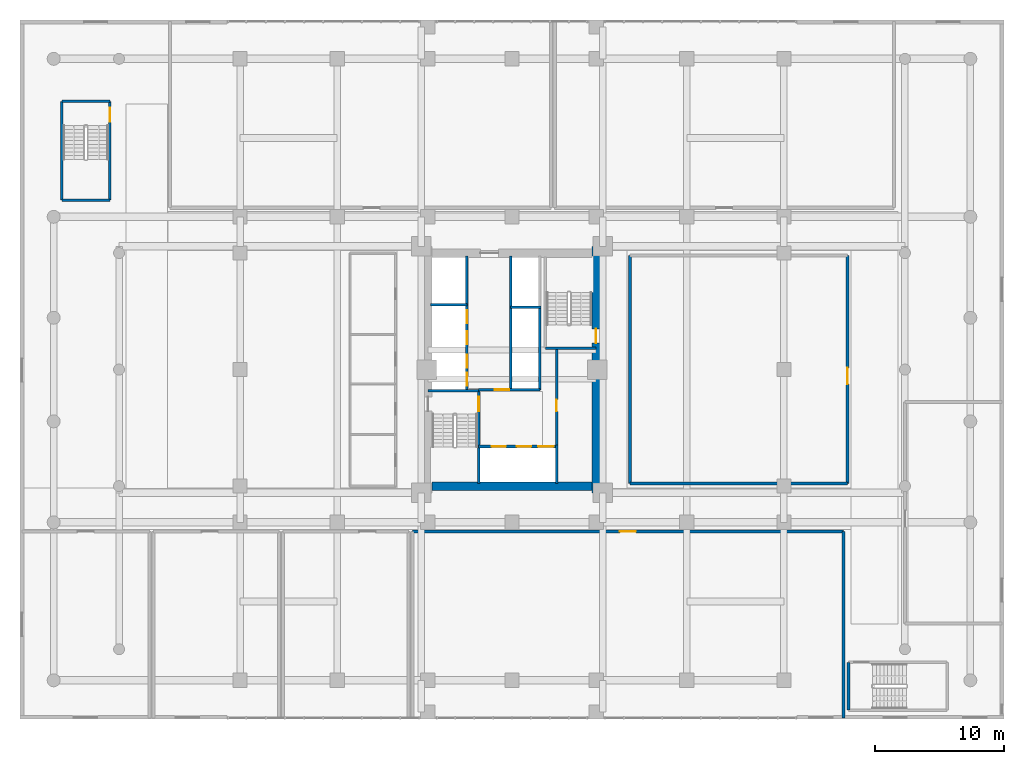
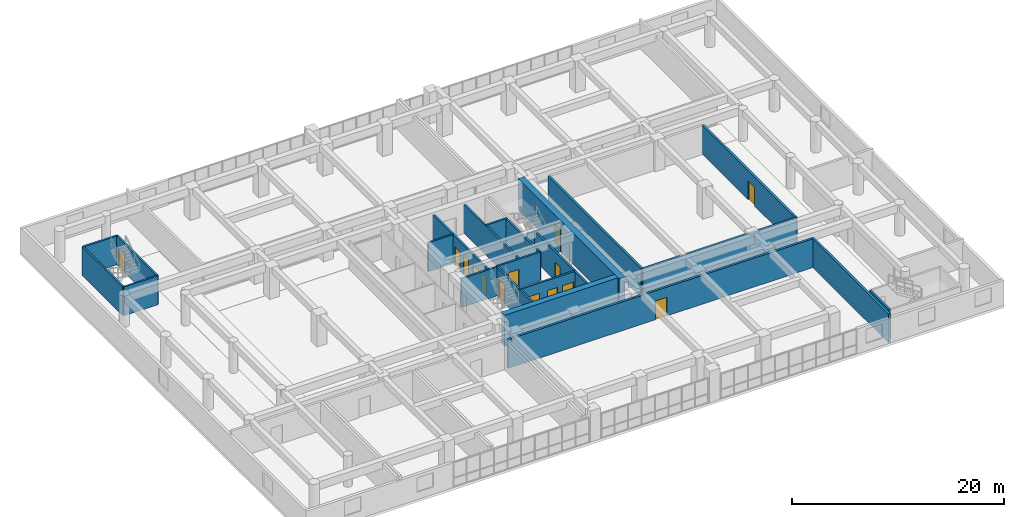
# One storey, part 19 of 30: 24 walls, 14 doors, 14 openings.
"""IFC4 building model written with IfcOpenShell, lengths in metres."""

import ifcopenshell
import ifcopenshell.guid

model = None  # the IFC model being written
_history = None  # IfcOwnerHistory: only IFC2X3 demands one
_inside = {}  # id of a spatial element -> (the spatial element, [elements in it])
_under = {}  # id of a project, library or spatial element -> (it, [spatial elements below it])
_declared = {}  # id of a project -> (the project, [libraries it declares])
_typed = {}  # id of a type object -> (the type object, [elements of that type])
_made_of = {}  # id of a material, layer set ... -> (it, [elements and type objects made of it])


def new_model(schema):
    """Start an empty IFC model of exactly this schema.

    Asked for "IFC4X3", IfcOpenShell would pick the latest addendum, in which some entities
    have other attributes; the version numbers below select the first issue.
    IFC2X3 requires an IfcOwnerHistory on every rooted entity: one is made here for all.
    """
    global model, _history
    if schema == "IFC4X3":
        model = ifcopenshell.file(schema_version=(4, 3, 0, 0))
    else:
        model = ifcopenshell.file(schema=schema)
    _inside.clear()
    _under.clear()
    _declared.clear()
    _typed.clear()
    _made_of.clear()
    _history = None
    if model.schema == "IFC2X3":
        org = make("IfcOrganization", Name="unknown")
        user = make(
            "IfcPersonAndOrganization",
            ThePerson=make("IfcPerson", FamilyName="unknown"),
            TheOrganization=org,
        )
        app = make(
            "IfcApplication",
            ApplicationDeveloper=org,
            Version="unknown",
            ApplicationFullName="unknown",
            ApplicationIdentifier="unknown",
        )
        _history = make(
            "IfcOwnerHistory",
            OwningUser=user,
            OwningApplication=app,
            ChangeAction="ADDED",
            CreationDate=0,
        )
    return model


def make(cls, **values):
    """One entity of the class cls with the attributes given. An attribute that is None is left unset."""
    return model.create_entity(
        cls, **{name: value for name, value in values.items() if value is not None}
    )


def rooted(cls, **values):
    """An entity with a GlobalId (a new one), such as an element, a storey or a relation."""
    return make(cls, GlobalId=ifcopenshell.guid.new(), OwnerHistory=_history, **values)


def si_unit(unit_type, name, prefix=None):
    """IfcSIUnit, for example si_unit("LENGTHUNIT", "METRE", prefix="MILLI")."""
    return make("IfcSIUnit", UnitType=unit_type, Prefix=prefix, Name=name)


def assignment(units):
    """IfcUnitAssignment: the units of a project."""
    return None if units is None else make("IfcUnitAssignment", Units=units)


def point(xyz):
    """IfcCartesianPoint."""
    return None if xyz is None else make("IfcCartesianPoint", Coordinates=xyz)


def direction(xyz):
    """IfcDirection."""
    return None if xyz is None else make("IfcDirection", DirectionRatios=xyz)


def frame(location, z_axis=None, x_axis=None):
    """IfcAxis2Placement3D, a coordinate frame: its origin and axes. An axis left out is left unset."""
    return make(
        "IfcAxis2Placement3D",
        Location=point(location),
        Axis=direction(z_axis),
        RefDirection=direction(x_axis),
    )


def frame_2d(location, x_axis=None):
    """IfcAxis2Placement2D, a coordinate frame in the plane: its origin and x axis."""
    return make(
        "IfcAxis2Placement2D", Location=point(location), RefDirection=direction(x_axis)
    )


def origin():
    """The frame at (0, 0, 0) with its axes left unset."""
    return frame((0.0, 0.0, 0.0))


def place(relative_to, where):
    """IfcLocalPlacement: puts the frame where relative to a parent placement (None: the world)."""
    return make(
        "IfcLocalPlacement", PlacementRelTo=relative_to, RelativePlacement=where
    )


def context(
    kind, dimensions, precision=None, world=None, true_north=None, identifier=None
):
    """IfcGeometricRepresentationContext, for example the 3D "Model" context."""
    return make(
        "IfcGeometricRepresentationContext",
        ContextIdentifier=identifier,
        ContextType=kind,
        CoordinateSpaceDimension=dimensions,
        Precision=precision,
        WorldCoordinateSystem=world,
        TrueNorth=true_north,
    )


def subcontext(parent, identifier, kind, view, scale=None):
    """IfcGeometricRepresentationSubContext, for example "Body" below "Model"."""
    return make(
        "IfcGeometricRepresentationSubContext",
        ContextIdentifier=identifier,
        ContextType=kind,
        ParentContext=parent,
        TargetScale=scale,
        TargetView=view,
    )


def project(units=None, contexts=None):
    """IfcProject with its units and contexts."""
    return rooted(
        "IfcProject",
        Name="project",
        RepresentationContexts=contexts,
        UnitsInContext=assignment(units),
    )


def spatial(cls, under=None, at=None, **own):
    """A site, building, storey or space (cls), placed at a placement, below another one or the project."""
    s = rooted(cls, ObjectPlacement=at, **own)
    if under is not None:
        _under.setdefault(under.id(), (under, []))[1].append(s)
    return s


def profile(cls, at=None, kind="AREA", **sizes):
    """A parametric profile (cls). Its sizes go by their IFC names, for example OverallWidth=200.0."""
    return make(cls, ProfileType=kind, Position=at, **sizes)


def rectangle(**sizes):
    """IfcRectangleProfileDef."""
    return profile("IfcRectangleProfileDef", **sizes)


def extrude(swept, where, along, depth):
    """IfcExtrudedAreaSolid: the profile swept, set in the frame where, extruded along a direction by depth."""
    return make(
        "IfcExtrudedAreaSolid",
        SweptArea=swept,
        Position=where,
        ExtrudedDirection=direction(along),
        Depth=depth,
    )


def shape(context_of_items, identifier, shape_type, items):
    """IfcShapeRepresentation: the items that make up one representation, for example the "Body"."""
    return make(
        "IfcShapeRepresentation",
        ContextOfItems=context_of_items,
        RepresentationIdentifier=identifier,
        RepresentationType=shape_type,
        Items=items,
    )


def source(mapping_origin, context_of_items, identifier, shape_type, items):
    """IfcRepresentationMap: a shape defined once, which mapped items show again and again."""
    return make(
        "IfcRepresentationMap",
        MappingOrigin=mapping_origin,
        MappedRepresentation=shape(context_of_items, identifier, shape_type, items),
    )


def transform(
    local_origin,
    x_axis=None,
    y_axis=None,
    z_axis=None,
    scale=None,
    scale2=None,
    scale3=None,
    uniform=True,
):
    """IfcCartesianTransformationOperator3D, or its non-uniform kind. x_axis, y_axis, z_axis: its Axis1, 2, 3."""
    if uniform:
        return make(
            "IfcCartesianTransformationOperator3D",
            Axis1=direction(x_axis),
            Axis2=direction(y_axis),
            LocalOrigin=point(local_origin),
            Scale=scale,
            Axis3=direction(z_axis),
        )
    return make(
        "IfcCartesianTransformationOperator3DnonUniform",
        Axis1=direction(x_axis),
        Axis2=direction(y_axis),
        LocalOrigin=point(local_origin),
        Scale=scale,
        Axis3=direction(z_axis),
        Scale2=scale2,
        Scale3=scale3,
    )


def mapped(mapping_source, mapping_target):
    """IfcMappedItem: shows the shape of a source again, moved by a transform."""
    return make(
        "IfcMappedItem", MappingSource=mapping_source, MappingTarget=mapping_target
    )


def material(Name=None, Category=None):
    """IfcMaterial."""
    return make("IfcMaterial", Name=Name, Category=Category)


def layer(
    of_material, thickness, ventilated=None, Name=None, Category=None, Priority=None
):
    """IfcMaterialLayer: one layer of a wall or slab, of a material (None: an air gap)."""
    return make(
        "IfcMaterialLayer",
        Material=of_material,
        LayerThickness=thickness,
        IsVentilated=ventilated,
        Name=Name,
        Category=Category,
        Priority=Priority,
    )


def layer_set(layers, Name=None):
    """IfcMaterialLayerSet."""
    return make("IfcMaterialLayerSet", MaterialLayers=layers, LayerSetName=Name)


def made_of(thing, what):
    """Note that an element or type object is made of a material, layer set ...; save() writes the relation."""
    if what is not None:
        _made_of.setdefault(what.id(), (what, []))[1].append(thing)
    return thing


def type_object(cls, material=None, **own):
    """A type object (cls), such as IfcWallType, which elements share."""
    return made_of(rooted(cls, **own), material)


def element(
    cls,
    number,
    at=None,
    inside=None,
    cuts=None,
    type_object=None,
    material=None,
    context=None,
    identifier="Body",
    shape_type=None,
    held_by="IfcProductDefinitionShape",
    body=None,
    shapes=None,
    **own,
):
    """One element of the class cls, such as IfcWall. Its Tag is "e" and its number.

    at: its placement. inside: the storey or other place that contains it. cuts: it is an
    opening in that element (IfcRelVoidsElement). A single representation is given by context,
    identifier, shape_type and body (its items); several are given by shapes. held_by: the class
    of the entity that holds the representations. save() writes the other relations.
    """
    e = rooted(cls, Tag="e%d" % number, ObjectPlacement=at, **own)
    if body is not None:
        shapes = [shape(context, identifier, shape_type, body)]
    if shapes is not None:
        e.Representation = make(held_by, Representations=shapes)
    if inside is not None:
        _inside.setdefault(inside.id(), (inside, []))[1].append(e)
    if cuts is not None:
        rooted(
            "IfcRelVoidsElement", RelatingBuildingElement=cuts, RelatedOpeningElement=e
        )
    if type_object is not None:
        _typed.setdefault(type_object.id(), (type_object, []))[1].append(e)
    return made_of(e, material)


def fill(opening, filler):
    """IfcRelFillsElement: the door or window that sits in an opening."""
    return rooted(
        "IfcRelFillsElement",
        RelatingOpeningElement=opening,
        RelatedBuildingElement=filler,
    )


def aggregate(whole, parts):
    """IfcRelAggregates: a whole, such as a stair, and the parts it consists of."""
    return rooted("IfcRelAggregates", RelatingObject=whole, RelatedObjects=parts)


def save(model, path):
    """Write the relations noted so far, then the file.

    IfcRelAggregates (storeys below a building ...), IfcRelContainedInSpatialStructure (elements
    in a storey), IfcRelDefinesByType, IfcRelAssociatesMaterial and IfcRelDeclares: one each for
    every whole, place, type object, material and project.
    """
    for whole, parts in _under.values():
        aggregate(whole, parts)
    for where, things in _inside.values():
        rooted(
            "IfcRelContainedInSpatialStructure",
            RelatedElements=things,
            RelatingStructure=where,
        )
    for kind, things in _typed.values():
        rooted("IfcRelDefinesByType", RelatedObjects=things, RelatingType=kind)
    for what, things in _made_of.values():
        rooted("IfcRelAssociatesMaterial", RelatedObjects=things, RelatingMaterial=what)
    for by, libraries in _declared.values():
        rooted("IfcRelDeclares", RelatingContext=by, RelatedDefinitions=libraries)
    model.write(path)


model = new_model("IFC4")

# Units and contexts
model_context = context("Model", 3, precision=1e-05, world=origin(), true_north=direction((0.0, 1.0)))
body_context = subcontext(model_context, "Body", "Model", "MODEL_VIEW")
ifc_project = project(units=[si_unit("LENGTHUNIT", "METRE"), si_unit("AREAUNIT", "SQUARE_METRE"), si_unit("VOLUMEUNIT", "CUBIC_METRE"), si_unit("PLANEANGLEUNIT", "RADIAN"), si_unit("MASSUNIT", "GRAM", prefix="KILO")], contexts=[model_context])

# Site, building, storey
site_placement = place(None, origin())
site = spatial("IfcSite", under=ifc_project, at=site_placement, CompositionType="ELEMENT")
building_placement = place(site_placement, origin())
building = spatial("IfcBuilding", under=site, at=building_placement, Name="Saelheon Loggia Tower", CompositionType="ELEMENT")
storey_placement = place(building_placement, frame((0.0, 0.0, 7.800048828125)))
storey = spatial("IfcBuildingStorey", under=building, at=storey_placement, Name="L02", CompositionType="ELEMENT", Elevation=7.800048828125)

# Wall, opening, door
ifc_material_1 = material(Name="Shielded High-Density Gypsum Partition", Category="gypsum")
ifc_layer_1 = layer(ifc_material_1, 0.239990234375)
ifc_layer_set_1 = layer_set([ifc_layer_1], Name="Shielded High-Density Gypsum Partition")
wall_type_1 = type_object("IfcWallType", Name="Wall_ClinicLead_240", PredefinedType="PARTITIONING", material=ifc_layer_set_1)
wall_1_placement = place(storey_placement, frame((30.300048828125, 14.5, 0.0), z_axis=(0.0, 0.0, 1.0), x_axis=(1.0, 0.0, 0.0)))
wall_1 = element("IfcWall", 1, at=wall_1_placement, inside=storey, type_object=wall_type_1, Name="PW-L02-CTRL2B-N", PredefinedType="PARTITIONING", context=body_context, shape_type="SweptSolid", body=[
    extrude(rectangle(XDim=33.300048828125, YDim=0.239990234375, at=frame_2d((16.64990234375, 0.0))), origin(), (0.0, 0.0, 1.0), 3.320068359375),
])
opening_1_placement = place(wall_1_placement, frame((16.02490234375, 0.0, 0.0)))
opening_1 = element("IfcOpeningElement", 2, at=opening_1_placement, cuts=wall_1, Name="Opening D-CL1", PredefinedType="OPENING", context=body_context, shape_type="SweptSolid", body=[
    extrude(rectangle(XDim=1.25, YDim=2.14990234375, at=frame_2d((0.625, 1.074951171875))), frame((0.0, 0.132080078125, 0.0), z_axis=(0.0, -1.0, 0.0), x_axis=(1.0, 0.0, 0.0)), (0.0, 0.0, 1.0), 0.263916015625),
])
ifc_material_2 = material(Name="Antimicrobial Hospital Laminate Door", Category="timber")
door_type_1 = type_object("IfcDoorType", Name="Door_Clinic_1250", OperationType="NOTDEFINED", PredefinedType="DOOR", material=ifc_material_2)
shared_shape_1 = source(origin(), body_context, "Body", "SweptSolid", [
    extrude(rectangle(XDim=1.25, YDim=2.14990234375, at=frame_2d((0.625, 1.074951171875))), frame((0.0, 0.02490234375, 0.0), z_axis=(0.0, -1.0, 0.0), x_axis=(1.0, 0.0, 0.0)), (0.0, 0.0, 1.0), 0.050048828125),
])
door_1_placement = place(opening_1_placement, origin())
door_1 = element("IfcDoor", 3, at=door_1_placement, inside=storey, type_object=door_type_1, Name="L02 Diagnostic Imaging Waiting Concourse Door", OperationType="SINGLE_SWING_RIGHT", OverallHeight=2.14990234375, OverallWidth=1.25, PredefinedType="DOOR", context=body_context, shape_type="MappedRepresentation", body=[
    mapped(shared_shape_1, transform((0.0, 0.0, 0.0), scale=1.0)),
])
fill(opening_1, door_1)

# Walls
wall_2_placement = place(storey_placement, frame((63.60009765625, 0.10009765625, 0.0), z_axis=(0.0, 0.0, 1.0), x_axis=(0.0, 1.0, 0.0)))
element("IfcWall", 4, at=wall_2_placement, inside=storey, type_object=wall_type_1, Name="PW-L02-CTRL2B-E", PredefinedType="PARTITIONING", context=body_context, shape_type="SweptSolid", body=[
    extrude(rectangle(XDim=14.39990234375, YDim=0.239990234375, at=frame_2d((7.199951171875, 0.0))), origin(), (0.0, 0.0, 1.0), 3.320068359375),
])
wall_3_placement = place(storey_placement, frame((47.10009765625, 18.199951171875, 0.0), z_axis=(0.0, 0.0, 1.0), x_axis=(1.0, 0.0, 0.0)))
element("IfcWall", 5, at=wall_3_placement, inside=storey, type_object=wall_type_1, Name="PW-L02-STAFF2-S", PredefinedType="PARTITIONING", context=body_context, shape_type="SweptSolid", body=[
    extrude(rectangle(XDim=16.7998046875, YDim=0.239990234375, at=frame_2d((8.39990234375, 0.0))), origin(), (0.0, 0.0, 1.0), 3.320068359375),
])
wall_4_placement = place(storey_placement, frame((47.10009765625, 18.199951171875, 0.0), z_axis=(0.0, 0.0, 1.0), x_axis=(0.0, 1.0, 0.0)))
element("IfcWall", 6, at=wall_4_placement, inside=storey, type_object=wall_type_1, Name="PW-L02-STAFF2-W", PredefinedType="PARTITIONING", context=body_context, shape_type="SweptSolid", body=[
    extrude(rectangle(XDim=17.60009765625, YDim=0.239990234375, at=frame_2d((8.800048828125, 0.0))), origin(), (0.0, 0.0, 1.0), 3.320068359375),
])

# Wall, opening, door
wall_5_placement = place(storey_placement, frame((63.89990234375, 18.199951171875, 0.0), z_axis=(0.0, 0.0, 1.0), x_axis=(0.0, 1.0, 0.0)))
wall_5 = element("IfcWall", 7, at=wall_5_placement, inside=storey, type_object=wall_type_1, Name="PW-L02-STAFF2-E", PredefinedType="PARTITIONING", context=body_context, shape_type="SweptSolid", body=[
    extrude(rectangle(XDim=17.60009765625, YDim=0.239990234375, at=frame_2d((8.800048828125, 0.0))), origin(), (0.0, 0.0, 1.0), 3.320068359375),
])
opening_2_placement = place(wall_5_placement, frame((7.685791015625, 0.0, 0.0)))
opening_2 = element("IfcOpeningElement", 8, at=opening_2_placement, cuts=wall_5, Name="Opening D-CL1", PredefinedType="OPENING", context=body_context, shape_type="SweptSolid", body=[
    extrude(rectangle(XDim=1.25, YDim=2.14990234375, at=frame_2d((0.625, 1.074951171875))), frame((0.0, 0.132080078125, 0.0), z_axis=(0.0, -1.0, 0.0), x_axis=(1.0, 0.0, 0.0)), (0.0, 0.0, 1.0), 0.263916015625),
])
door_2_placement = place(opening_2_placement, origin())
door_2 = element("IfcDoor", 9, at=door_2_placement, inside=storey, type_object=door_type_1, Name="L02 Diagnostic Staff Conference Hall Door", OperationType="SINGLE_SWING_RIGHT", OverallHeight=2.14990234375, OverallWidth=1.25, PredefinedType="DOOR", context=body_context, shape_type="MappedRepresentation", body=[
    mapped(shared_shape_1, transform((0.0, 0.0, 0.0), scale=1.0)),
])
fill(opening_2, door_2)

ifc_material_3 = material(Name="Concrete C60/75", Category="concrete")
ifc_layer_2 = layer(ifc_material_3, 0.64990234375)
ifc_layer_set_2 = layer_set([ifc_layer_2], Name="Concrete C60/75")
wall_type_2 = type_object("IfcWallType", Name="Wall_CoreShear_650", PredefinedType="SHEAR", material=ifc_layer_set_2)
wall_6_placement = place(storey_placement, frame((44.5, 17.47998046875, 0.0), z_axis=(0.0, 0.0, 1.0), x_axis=(0.0, 1.0, 0.0)))
wall_6 = element("IfcWall", 10, at=wall_6_placement, inside=storey, type_object=wall_type_2, Name="L02 Core Shear Wall East", PredefinedType="SHEAR", context=body_context, shape_type="SweptSolid", body=[
    extrude(rectangle(XDim=19.0400390625, YDim=0.64990234375, at=frame_2d((9.52001953125, 0.0))), origin(), (0.0, 0.0, 1.0), 3.599853515625),
])
opening_3_placement = place(wall_6_placement, frame((12.670166015625, 0.0, 0.0), z_axis=(0.0, 0.0, 1.0), x_axis=(-1.0, 0.0, 0.0)))
opening_3 = element("IfcOpeningElement", 11, at=opening_3_placement, cuts=wall_6, Name="Opening D-FD2", PredefinedType="OPENING", context=body_context, shape_type="SweptSolid", body=[
    extrude(rectangle(XDim=1.10009765625, YDim=2.14990234375, at=frame_2d((0.550048828125, 1.074951171875))), frame((0.0, 0.3369140625, 0.0), z_axis=(0.0, -1.0, 0.0), x_axis=(1.0, 0.0, 0.0)), (0.0, 0.0, 1.0), 0.673828125),
])
ifc_material_4 = material(Name="Galvanised Steel Fire Door", Category="steel")
door_type_2 = type_object("IfcDoorType", Name="Door_Fire_FD60_1100", OperationType="NOTDEFINED", PredefinedType="DOOR", material=ifc_material_4)
shared_shape_2 = source(origin(), body_context, "Body", "SweptSolid", [
    extrude(rectangle(XDim=1.10009765625, YDim=2.14990234375, at=frame_2d((0.550048828125, 1.074951171875))), frame((0.0, 0.02490234375, 0.0), z_axis=(0.0, -1.0, 0.0), x_axis=(1.0, 0.0, 0.0)), (0.0, 0.0, 1.0), 0.050048828125),
])
door_3_placement = place(opening_3_placement, origin())
door_3 = element("IfcDoor", 12, at=door_3_placement, inside=storey, type_object=door_type_2, Name="L02 Stair ST2 Corridor Door", OperationType="SINGLE_SWING_RIGHT", OverallHeight=2.14990234375, OverallWidth=1.10009765625, PredefinedType="DOOR", context=body_context, shape_type="MappedRepresentation", body=[
    mapped(shared_shape_2, transform((0.0, 0.0, 0.0), scale=1.0)),
])
fill(opening_3, door_3)

# Walls
wall_7_placement = place(storey_placement, frame((31.824951171875, 18.0, 0.0), z_axis=(0.0, 0.0, 1.0), x_axis=(1.0, 0.0, 0.0)))
element("IfcWall", 13, at=wall_7_placement, inside=storey, type_object=wall_type_2, Name="L02 Core Shear Wall South", PredefinedType="SHEAR", context=body_context, shape_type="SweptSolid", body=[
    extrude(rectangle(XDim=12.35009765625, YDim=0.64990234375, at=frame_2d((6.175048828125, 0.0))), origin(), (0.0, 0.0, 1.0), 3.599853515625),
])
ifc_material_5 = material(Name="Concrete C40/50", Category="concrete")
ifc_layer_3 = layer(ifc_material_5, 0.199951171875)
ifc_layer_set_3 = layer_set([ifc_layer_3], Name="Concrete C40/50")
wall_type_3 = type_object("IfcWallType", Name="Wall_Shaft_200", PredefinedType="PARTITIONING", material=ifc_layer_set_3)
wall_8_placement = place(storey_placement, frame((41.449951171875, 18.219970703125, 0.0), z_axis=(0.0, 0.0, 1.0), x_axis=(0.0, 1.0, 0.0)))
element("IfcWall", 14, at=wall_8_placement, inside=storey, type_object=wall_type_3, Name="CW-INT-L02-BOH-W0", PredefinedType="PARTITIONING", context=body_context, shape_type="SweptSolid", body=[
    extrude(rectangle(XDim=2.9599609375, YDim=0.199951171875, at=frame_2d((1.47998046875, 0.0))), origin(), (0.0, 0.0, 1.0), 3.320068359375),
])

# Wall, opening, door
wall_9_placement = place(storey_placement, frame((41.449951171875, 21.179931640625, 0.0), z_axis=(0.0, 0.0, 1.0), x_axis=(0.0, 1.0, 0.0)))
wall_9 = element("IfcWall", 15, at=wall_9_placement, inside=storey, type_object=wall_type_3, Name="CW-INT-L02-BOH-W1", PredefinedType="PARTITIONING", context=body_context, shape_type="SweptSolid", body=[
    extrude(rectangle(XDim=7.420166015625, YDim=0.199951171875, at=frame_2d((3.7099609375, 0.0))), origin(), (0.0, 0.0, 1.0), 3.320068359375),
])
opening_4_placement = place(wall_9_placement, frame((2.60009765625, 0.0, 0.0)))
opening_4 = element("IfcOpeningElement", 16, at=opening_4_placement, cuts=wall_9, Name="Opening D-RS1", PredefinedType="OPENING", context=body_context, shape_type="SweptSolid", body=[
    extrude(rectangle(XDim=0.89990234375, YDim=2.10009765625, at=frame_2d((0.449951171875, 1.050048828125))), frame((0.0, 0.112060546875, 0.0), z_axis=(0.0, -1.0, 0.0), x_axis=(1.0, 0.0, 0.0)), (0.0, 0.0, 1.0), 0.223876953125),
])
ifc_material_6 = material(Name="Galvanised Steel Riser Access Door", Category="steel")
door_type_3 = type_object("IfcDoorType", Name="Door_Riser_FD60", OperationType="NOTDEFINED", PredefinedType="DOOR", material=ifc_material_6)
shared_shape_3 = source(origin(), body_context, "Body", "SweptSolid", [
    extrude(rectangle(XDim=0.89990234375, YDim=2.10009765625, at=frame_2d((0.449951171875, 1.050048828125))), frame((0.0, 0.02490234375, 0.0), z_axis=(0.0, -1.0, 0.0), x_axis=(1.0, 0.0, 0.0)), (0.0, 0.0, 1.0), 0.050048828125),
])
door_4_placement = place(opening_4_placement, origin())
door_4 = element("IfcDoor", 17, at=door_4_placement, inside=storey, type_object=door_type_3, Name="L02 Core Service Store Door", OperationType="SINGLE_SWING_RIGHT", OverallHeight=2.10009765625, OverallWidth=0.89990234375, PredefinedType="DOOR", context=body_context, shape_type="MappedRepresentation", body=[
    mapped(shared_shape_3, transform((0.0, 0.0, 0.0), scale=1.0)),
])
fill(opening_4, door_4)

# Wall
wall_10_placement = place(storey_placement, frame((40.14990234375, 25.43994140625, 0.0), z_axis=(0.0, 0.0, 1.0), x_axis=(0.0, 1.0, 0.0)))
element("IfcWall", 18, at=wall_10_placement, inside=storey, type_object=wall_type_3, Name="L02 Core Service Passage West Wall", PredefinedType="PARTITIONING", context=body_context, shape_type="SweptSolid", body=[
    extrude(rectangle(XDim=6.360107421875, YDim=0.199951171875, at=frame_2d((3.18017578125, 0.0))), origin(), (0.0, 0.0, 1.0), 3.320068359375),
])

# Wall, openings, doors
wall_11_placement = place(storey_placement, frame((35.429931640625, 21.06005859375, 0.0), z_axis=(0.0, 0.0, 1.0), x_axis=(1.0, 0.0, 0.0)))
wall_11 = element("IfcWall", 19, at=wall_11_placement, inside=storey, type_object=wall_type_3, Name="L02 Firefighting Lift Shaft Front Wall", PredefinedType="PARTITIONING", context=body_context, shape_type="SweptSolid", body=[
    extrude(rectangle(XDim=6.02001953125, YDim=0.199951171875, at=frame_2d((3.010009765625, 0.0))), origin(), (0.0, 0.0, 1.0), 3.320068359375),
])
opening_5_placement = place(wall_11_placement, frame((1.0, 0.0, 0.0)))
opening_5 = element("IfcOpeningElement", 20, at=opening_5_placement, cuts=wall_11, Name="Opening LD2", PredefinedType="OPENING", context=body_context, shape_type="SweptSolid", body=[
    extrude(rectangle(XDim=1.10009765625, YDim=2.14990234375, at=frame_2d((0.550048828125, 1.074951171875))), frame((0.0, 0.112060546875, 0.0), z_axis=(0.0, -1.0, 0.0), x_axis=(1.0, 0.0, 0.0)), (0.0, 0.0, 1.0), 0.223876953125),
])
opening_6_placement = place(wall_11_placement, frame((2.949951171875, 0.0, 0.0)))
opening_6 = element("IfcOpeningElement", 21, at=opening_6_placement, cuts=wall_11, Name="Opening LD2", PredefinedType="OPENING", context=body_context, shape_type="SweptSolid", body=[
    extrude(rectangle(XDim=1.10009765625, YDim=2.14990234375, at=frame_2d((0.550048828125, 1.074951171875))), frame((0.0, 0.112060546875, 0.0), z_axis=(0.0, -1.0, 0.0), x_axis=(1.0, 0.0, 0.0)), (0.0, 0.0, 1.0), 0.223876953125),
])
opening_7_placement = place(wall_11_placement, frame((4.580078125, 0.0, 0.0)))
opening_7 = element("IfcOpeningElement", 22, at=opening_7_placement, cuts=wall_11, Name="Opening LD3", PredefinedType="OPENING", context=body_context, shape_type="SweptSolid", body=[
    extrude(rectangle(XDim=1.199951171875, YDim=2.14990234375, at=frame_2d((0.60009765625, 1.074951171875))), frame((0.0, 0.112060546875, 0.0), z_axis=(0.0, -1.0, 0.0), x_axis=(1.0, 0.0, 0.0)), (0.0, 0.0, 1.0), 0.223876953125),
])
ifc_material_7 = material(Name="Firefighting Stainless Steel 316 Landing Door", Category="steel")
door_type_4 = type_object("IfcDoorType", Name="Door_Lift_LD2", OperationType="DOUBLE_DOOR_SLIDING", PredefinedType="DOOR", material=ifc_material_7)
door_5_placement = place(opening_5_placement, origin())
door_5 = element("IfcDoor", 23, at=door_5_placement, inside=storey, type_object=door_type_4, Name="L02 FF1 Landing Door", OperationType="DOUBLE_DOOR_SLIDING", OverallHeight=2.14990234375, OverallWidth=1.10009765625, PredefinedType="DOOR", context=body_context, shape_type="MappedRepresentation", body=[
    mapped(shared_shape_2, transform((0.0, 0.0, 0.0), scale=1.0)),
])
fill(opening_5, door_5)
door_6_placement = place(opening_6_placement, origin())
door_6 = element("IfcDoor", 24, at=door_6_placement, inside=storey, type_object=door_type_4, Name="L02 FF2 Landing Door", OperationType="DOUBLE_DOOR_SLIDING", OverallHeight=2.14990234375, OverallWidth=1.10009765625, PredefinedType="DOOR", context=body_context, shape_type="MappedRepresentation", body=[
    mapped(shared_shape_2, transform((0.0, 0.0, 0.0), scale=1.0)),
])
fill(opening_6, door_6)
ifc_material_8 = material(Name="Stretcher Lift Stainless Steel 304 Landing Door", Category="steel")
door_type_5 = type_object("IfcDoorType", Name="Door_Lift_LD3", OperationType="DOUBLE_DOOR_SLIDING", PredefinedType="DOOR", material=ifc_material_8)
shared_shape_4 = source(origin(), body_context, "Body", "SweptSolid", [
    extrude(rectangle(XDim=1.199951171875, YDim=2.14990234375, at=frame_2d((0.60009765625, 1.074951171875))), frame((0.0, 0.02490234375, 0.0), z_axis=(0.0, -1.0, 0.0), x_axis=(1.0, 0.0, 0.0)), (0.0, 0.0, 1.0), 0.050048828125),
])
door_7_placement = place(opening_7_placement, origin())
door_7 = element("IfcDoor", 25, at=door_7_placement, inside=storey, type_object=door_type_5, Name="L02 SV1 Landing Door", OperationType="DOUBLE_DOOR_SLIDING", OverallHeight=2.14990234375, OverallWidth=1.199951171875, PredefinedType="DOOR", context=body_context, shape_type="MappedRepresentation", body=[
    mapped(shared_shape_4, transform((0.0, 0.0, 0.0), scale=1.0)),
])
fill(opening_7, door_7)

# Wall, opening, door
wall_12_placement = place(storey_placement, frame((35.429931640625, 25.43994140625, 0.0), z_axis=(0.0, 0.0, 1.0), x_axis=(1.0, 0.0, 0.0)))
wall_12 = element("IfcWall", 26, at=wall_12_placement, inside=storey, type_object=wall_type_3, Name="L02 Firefighting Lobby Compartment Wall", PredefinedType="PARTITIONING", context=body_context, shape_type="SweptSolid", body=[
    extrude(rectangle(XDim=4.719970703125, YDim=0.199951171875, at=frame_2d((2.35986328125, 0.0))), origin(), (0.0, 0.0, 1.0), 3.320068359375),
])
opening_8_placement = place(wall_12_placement, frame((1.25, 0.0, 0.0)))
opening_8 = element("IfcOpeningElement", 27, at=opening_8_placement, cuts=wall_12, Name="Opening D-FD2", PredefinedType="OPENING", context=body_context, shape_type="SweptSolid", body=[
    extrude(rectangle(XDim=1.10009765625, YDim=2.14990234375, at=frame_2d((0.550048828125, 1.074951171875))), frame((0.0, 0.112060546875, 0.0), z_axis=(0.0, -1.0, 0.0), x_axis=(1.0, 0.0, 0.0)), (0.0, 0.0, 1.0), 0.223876953125),
])
door_8_placement = place(opening_8_placement, origin())
door_8 = element("IfcDoor", 28, at=door_8_placement, inside=storey, type_object=door_type_2, Name="L02 Firefighting Lobby Door", OperationType="SINGLE_SWING_LEFT", OverallHeight=2.14990234375, OverallWidth=1.10009765625, PredefinedType="DOOR", context=body_context, shape_type="MappedRepresentation", body=[
    mapped(shared_shape_2, transform((0.0, 0.0, 0.0), scale=1.0)),
])
fill(opening_8, door_8)

# Wall, openings, doors
wall_13_placement = place(storey_placement, frame((34.52001953125, 25.43994140625, 0.0), z_axis=(0.0, 0.0, 1.0), x_axis=(0.0, 1.0, 0.0)))
wall_13 = element("IfcWall", 29, at=wall_13_placement, inside=storey, type_object=wall_type_3, Name="L02 West Passenger Lift Bank Wall", PredefinedType="PARTITIONING", context=body_context, shape_type="SweptSolid", body=[
    extrude(rectangle(XDim=10.340087890625, YDim=0.199951171875, at=frame_2d((5.169921875, 0.0))), origin(), (0.0, 0.0, 1.0), 3.320068359375),
])
opening_9_placement = place(wall_13_placement, frame((0.320068359375, 0.0, 0.0)))
opening_9 = element("IfcOpeningElement", 30, at=opening_9_placement, cuts=wall_13, Name="Opening LD1", PredefinedType="OPENING", context=body_context, shape_type="SweptSolid", body=[
    extrude(rectangle(XDim=1.0, YDim=2.14990234375, at=frame_2d((0.5, 1.074951171875))), frame((0.0, 0.112060546875, 0.0), z_axis=(0.0, -1.0, 0.0), x_axis=(1.0, 0.0, 0.0)), (0.0, 0.0, 1.0), 0.223876953125),
])
opening_10_placement = place(wall_13_placement, frame((1.7099609375, 0.0, 0.0)))
opening_10 = element("IfcOpeningElement", 31, at=opening_10_placement, cuts=wall_13, Name="Opening LD1", PredefinedType="OPENING", context=body_context, shape_type="SweptSolid", body=[
    extrude(rectangle(XDim=1.0, YDim=2.14990234375, at=frame_2d((0.5, 1.074951171875))), frame((0.0, 0.112060546875, 0.0), z_axis=(0.0, -1.0, 0.0), x_axis=(1.0, 0.0, 0.0)), (0.0, 0.0, 1.0), 0.223876953125),
])
opening_11_placement = place(wall_13_placement, frame((3.534912109375, 0.0, 0.0)))
opening_11 = element("IfcOpeningElement", 32, at=opening_11_placement, cuts=wall_13, Name="Opening LD1", PredefinedType="OPENING", context=body_context, shape_type="SweptSolid", body=[
    extrude(rectangle(XDim=1.0, YDim=2.14990234375, at=frame_2d((0.5, 1.074951171875))), frame((0.0, 0.112060546875, 0.0), z_axis=(0.0, -1.0, 0.0), x_axis=(1.0, 0.0, 0.0)), (0.0, 0.0, 1.0), 0.223876953125),
])
opening_12_placement = place(wall_13_placement, frame((5.135009765625, 0.0, 0.0)))
opening_12 = element("IfcOpeningElement", 33, at=opening_12_placement, cuts=wall_13, Name="Opening LD1", PredefinedType="OPENING", context=body_context, shape_type="SweptSolid", body=[
    extrude(rectangle(XDim=1.0, YDim=2.14990234375, at=frame_2d((0.5, 1.074951171875))), frame((0.0, 0.112060546875, 0.0), z_axis=(0.0, -1.0, 0.0), x_axis=(1.0, 0.0, 0.0)), (0.0, 0.0, 1.0), 0.223876953125),
])
ifc_material_9 = material(Name="Brushed Stainless Steel 304 Landing Door", Category="steel")
door_type_6 = type_object("IfcDoorType", Name="Door_Lift_LD1", OperationType="DOUBLE_DOOR_SLIDING", PredefinedType="DOOR", material=ifc_material_9)
shared_shape_5 = source(origin(), body_context, "Body", "SweptSolid", [
    extrude(rectangle(XDim=1.0, YDim=2.14990234375, at=frame_2d((0.5, 1.074951171875))), frame((0.0, 0.02490234375, 0.0), z_axis=(0.0, -1.0, 0.0), x_axis=(1.0, 0.0, 0.0)), (0.0, 0.0, 1.0), 0.050048828125),
])
door_9_placement = place(opening_9_placement, origin())
door_9 = element("IfcDoor", 34, at=door_9_placement, inside=storey, type_object=door_type_6, Name="L02 PL1 Landing Door", OperationType="DOUBLE_DOOR_SLIDING", OverallHeight=2.14990234375, OverallWidth=1.0, PredefinedType="DOOR", context=body_context, shape_type="MappedRepresentation", body=[
    mapped(shared_shape_5, transform((0.0, 0.0, 0.0), scale=1.0)),
])
fill(opening_9, door_9)
door_10_placement = place(opening_10_placement, origin())
door_10 = element("IfcDoor", 35, at=door_10_placement, inside=storey, type_object=door_type_6, Name="L02 PL2 Landing Door", OperationType="DOUBLE_DOOR_SLIDING", OverallHeight=2.14990234375, OverallWidth=1.0, PredefinedType="DOOR", context=body_context, shape_type="MappedRepresentation", body=[
    mapped(shared_shape_5, transform((0.0, 0.0, 0.0), scale=1.0)),
])
fill(opening_10, door_10)
door_11_placement = place(opening_11_placement, origin())
door_11 = element("IfcDoor", 36, at=door_11_placement, inside=storey, type_object=door_type_6, Name="L02 PL3 Landing Door", OperationType="DOUBLE_DOOR_SLIDING", OverallHeight=2.14990234375, OverallWidth=1.0, PredefinedType="DOOR", context=body_context, shape_type="MappedRepresentation", body=[
    mapped(shared_shape_5, transform((0.0, 0.0, 0.0), scale=1.0)),
])
fill(opening_11, door_11)
door_12_placement = place(opening_12_placement, origin())
door_12 = element("IfcDoor", 37, at=door_12_placement, inside=storey, type_object=door_type_6, Name="L02 PL4 Landing Door", OperationType="DOUBLE_DOOR_SLIDING", OverallHeight=2.14990234375, OverallWidth=1.0, PredefinedType="DOOR", context=body_context, shape_type="MappedRepresentation", body=[
    mapped(shared_shape_5, transform((0.0, 0.0, 0.0), scale=1.0)),
])
fill(opening_12, door_12)

# Walls
wall_14_placement = place(storey_placement, frame((31.719970703125, 32.02001953125, 0.0), z_axis=(0.0, 0.0, 1.0), x_axis=(1.0, 0.0, 0.0)))
element("IfcWall", 38, at=wall_14_placement, inside=storey, type_object=wall_type_3, Name="L02 West High-Rise Shaft Divider", PredefinedType="PARTITIONING", context=body_context, shape_type="SweptSolid", body=[
    extrude(rectangle(XDim=2.800048828125, YDim=0.199951171875, at=frame_2d((1.39990234375, 0.0))), origin(), (0.0, 0.0, 1.0), 3.320068359375),
])
wall_15_placement = place(storey_placement, frame((37.89990234375, 25.43994140625, 0.0), z_axis=(0.0, 0.0, 1.0), x_axis=(0.0, 1.0, 0.0)))
element("IfcWall", 39, at=wall_15_placement, inside=storey, type_object=wall_type_3, Name="L02 East Passenger Lift Bank Wall", PredefinedType="PARTITIONING", context=body_context, shape_type="SweptSolid", body=[
    extrude(rectangle(XDim=10.340087890625, YDim=0.199951171875, at=frame_2d((5.169921875, 0.0))), origin(), (0.0, 0.0, 1.0), 3.320068359375),
])
wall_16_placement = place(storey_placement, frame((37.89990234375, 31.800048828125, 0.0), z_axis=(0.0, 0.0, 1.0), x_axis=(1.0, 0.0, 0.0)))
element("IfcWall", 40, at=wall_16_placement, inside=storey, type_object=wall_type_3, Name="L02 East High-Rise Shaft Divider", PredefinedType="PARTITIONING", context=body_context, shape_type="SweptSolid", body=[
    extrude(rectangle(XDim=2.35009765625, YDim=0.199951171875, at=frame_2d((1.175048828125, 0.0))), origin(), (0.0, 0.0, 1.0), 3.320068359375),
])

# Wall, opening, door
ifc_material_10 = material(Name="Concrete C45/55", Category="concrete")
ifc_layer_4 = layer(ifc_material_10, 0.199951171875)
ifc_layer_set_4 = layer_set([ifc_layer_4], Name="Concrete C45/55")
wall_type_4 = type_object("IfcWallType", Name="Wall_StairShaft_RC200", PredefinedType="SOLIDWALL", material=ifc_layer_set_4)
wall_17_placement = place(storey_placement, frame((35.429931640625, 18.219970703125, 0.0), z_axis=(0.0, 0.0, 1.0), x_axis=(0.0, 1.0, 0.0)))
wall_17 = element("IfcWall", 41, at=wall_17_placement, inside=storey, type_object=wall_type_4, Name="L02 Stair ST1 Shaft Wall", PredefinedType="SOLIDWALL", context=body_context, shape_type="SweptSolid", body=[
    extrude(rectangle(XDim=7.219970703125, YDim=0.199951171875, at=frame_2d((3.60986328125, 0.0))), origin(), (0.0, 0.0, 1.0), 3.320068359375),
])
opening_13_placement = place(wall_17_placement, frame((6.68017578125, 0.0, 0.0), z_axis=(0.0, 0.0, 1.0), x_axis=(-1.0, 0.0, 0.0)))
opening_13 = element("IfcOpeningElement", 42, at=opening_13_placement, cuts=wall_17, Name="Opening D-FD2", PredefinedType="OPENING", context=body_context, shape_type="SweptSolid", body=[
    extrude(rectangle(XDim=1.10009765625, YDim=2.14990234375, at=frame_2d((0.550048828125, 1.074951171875))), frame((0.0, 0.112060546875, 0.0), z_axis=(0.0, -1.0, 0.0), x_axis=(1.0, 0.0, 0.0)), (0.0, 0.0, 1.0), 0.223876953125),
])
door_13_placement = place(opening_13_placement, origin())
door_13 = element("IfcDoor", 43, at=door_13_placement, inside=storey, type_object=door_type_2, Name="L02 Stair ST1 Lobby Door", OperationType="SINGLE_SWING_RIGHT", OverallHeight=2.14990234375, OverallWidth=1.10009765625, PredefinedType="DOOR", context=body_context, shape_type="MappedRepresentation", body=[
    mapped(shared_shape_2, transform((0.0, 0.0, 0.0), scale=1.0)),
])
fill(opening_13, door_13)

# Walls
for number, where, z_axis, x_axis, name in (
    (44, (31.5, 25.35009765625, 0.0), (0.0, 0.0, 1.0), (1.0, 0.0, 0.0), "L02 Stair ST1 North Wall"),
    (45, (40.570068359375, 28.64990234375, 0.0), (0.0, 0.0, 1.0), (1.0, 0.0, 0.0), "L02 Stair ST2 South Wall"),
):
    element("IfcWall", number, at=place(storey_placement, frame(where, z_axis=z_axis, x_axis=x_axis)), inside=storey, type_object=wall_type_4, Name=name, PredefinedType="SOLIDWALL", context=body_context, shape_type="SweptSolid", body=[
        extrude(rectangle(XDim=3.929931640625, YDim=0.199951171875, at=frame_2d((1.96484375, 0.0))), origin(), (0.0, 0.0, 1.0), 3.320068359375),
    ])
wall_18_placement = place(storey_placement, frame((3.239990234375, 40.090087890625, 0.0), z_axis=(0.0, 0.0, 1.0), x_axis=(0.0, 1.0, 0.0)))
element("IfcWall", 46, at=wall_18_placement, inside=storey, type_object=wall_type_4, Name="L02 ST3 Shaft West Wall", PredefinedType="SOLIDWALL", context=body_context, shape_type="SweptSolid", body=[
    extrude(rectangle(XDim=7.619873046875, YDim=0.199951171875, at=frame_2d((3.81005859375, 0.0))), origin(), (0.0, 0.0, 1.0), 3.320068359375),
])

# Wall, opening, door
wall_19_placement = place(storey_placement, frame((6.93994140625, 40.090087890625, 0.0), z_axis=(0.0, 0.0, 1.0), x_axis=(0.0, 1.0, 0.0)))
wall_19 = element("IfcWall", 47, at=wall_19_placement, inside=storey, type_object=wall_type_4, Name="L02 ST3 Shaft East Wall", PredefinedType="SOLIDWALL", context=body_context, shape_type="SweptSolid", body=[
    extrude(rectangle(XDim=7.619873046875, YDim=0.199951171875, at=frame_2d((3.81005859375, 0.0))), origin(), (0.0, 0.0, 1.0), 3.320068359375),
])
opening_14_placement = place(wall_19_placement, frame((7.150146484375, 0.0, 0.0), z_axis=(0.0, 0.0, 1.0), x_axis=(-1.0, 0.0, 0.0)))
opening_14 = element("IfcOpeningElement", 48, at=opening_14_placement, cuts=wall_19, Name="Opening D-FD2", PredefinedType="OPENING", context=body_context, shape_type="SweptSolid", body=[
    extrude(rectangle(XDim=1.10009765625, YDim=2.14990234375, at=frame_2d((0.550048828125, 1.074951171875))), frame((0.0, 0.112060546875, 0.0), z_axis=(0.0, -1.0, 0.0), x_axis=(1.0, 0.0, 0.0)), (0.0, 0.0, 1.0), 0.223876953125),
])
door_14_placement = place(opening_14_placement, origin())
door_14 = element("IfcDoor", 49, at=door_14_placement, inside=storey, type_object=door_type_2, Name="L02 Escape Stair ST3 Door", OperationType="SINGLE_SWING_LEFT", OverallHeight=2.14990234375, OverallWidth=1.10009765625, PredefinedType="DOOR", context=body_context, shape_type="MappedRepresentation", body=[
    mapped(shared_shape_2, transform((0.0, 0.0, 0.0), scale=1.0)),
])
fill(opening_14, door_14)

# Walls
for number, where, z_axis, x_axis, name in (
    (50, (3.239990234375, 40.090087890625, 0.0), (0.0, 0.0, 1.0), (1.0, 0.0, 0.0), "L02 ST3 Shaft South Wall"),
    (51, (3.239990234375, 47.7099609375, 0.0), (0.0, 0.0, 1.0), (1.0, 0.0, 0.0), "L02 ST3 Shaft North Wall"),
    (52, (63.989990234375, 0.68994140625, 0.0), (0.0, 0.0, 1.0), (0.0, 1.0, 0.0), "L02 ST4 Shaft West Wall"),
):
    element("IfcWall", number, at=place(storey_placement, frame(where, z_axis=z_axis, x_axis=x_axis)), inside=storey, type_object=wall_type_4, Name=name, PredefinedType="SOLIDWALL", context=body_context, shape_type="SweptSolid", body=[
        extrude(rectangle(XDim=3.699951171875, YDim=0.199951171875, at=frame_2d((1.85009765625, 0.0))), origin(), (0.0, 0.0, 1.0), 3.320068359375),
    ])

save(model, "model.ifc")
